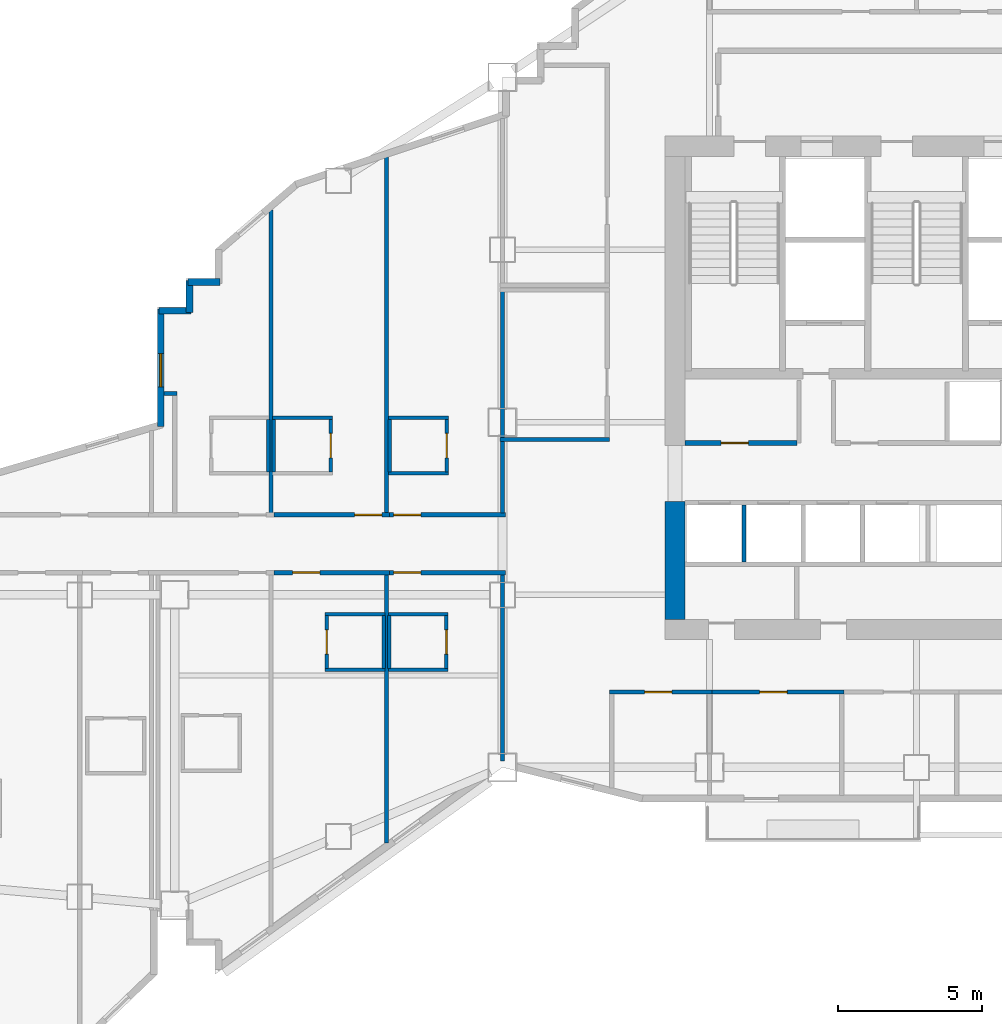
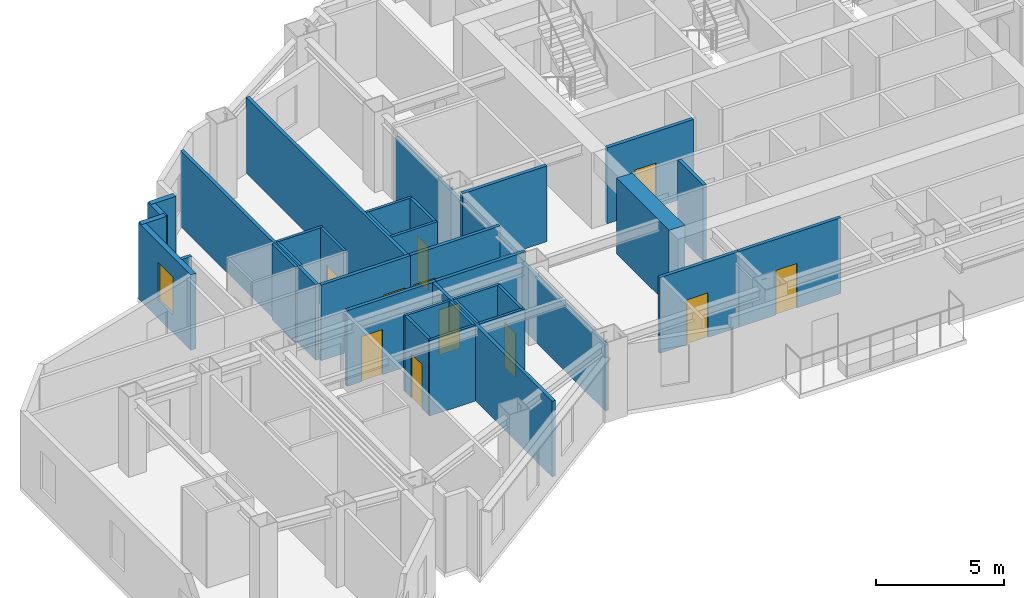
# One storey, part 7 of 16: 37 walls, 11 doors, 1 window, 12 openings.
"""IFC4 building model written with IfcOpenShell, lengths in metres."""

from ifc_helpers import new_model, si_unit, direction, frame, frame_2d, origin, place, context, subcontext, project, spatial, rectangle, extrude, material, layer, layer_set, type_object, element, fill, save


model = new_model("IFC4")

# Units and contexts
model_context = context("Model", 3, precision=1e-05, world=origin(), true_north=direction((0.0, 1.0)))
body_context = subcontext(model_context, "Body", "Model", "MODEL_VIEW")
ifc_project = project(units=[si_unit("LENGTHUNIT", "METRE"), si_unit("AREAUNIT", "SQUARE_METRE"), si_unit("VOLUMEUNIT", "CUBIC_METRE"), si_unit("PLANEANGLEUNIT", "RADIAN"), si_unit("MASSUNIT", "GRAM", prefix="KILO")], contexts=[model_context])

# Site, building, storey
site_placement = place(None, origin())
site = spatial("IfcSite", under=ifc_project, at=site_placement, CompositionType="ELEMENT")
building_placement = place(site_placement, origin())
building = spatial("IfcBuilding", under=site, at=building_placement, Name="Haolan Belvedere Tower", CompositionType="ELEMENT")
storey_placement = place(building_placement, frame((0.0, 0.0, 125.0)))
storey = spatial("IfcBuildingStorey", under=building, at=storey_placement, Name="L31", CompositionType="ELEMENT", Elevation=125.0)

# Walls
ifc_material_1 = material(Name="Concrete C60/75", Category="concrete")
ifc_layer_1 = layer(ifc_material_1, 0.699951171875, Name="Concrete C60/75")
ifc_layer_set_1 = layer_set([ifc_layer_1], Name="Concrete C60/75")
wall_type_1 = type_object("IfcWallType", Name="WL-CORE-700", PredefinedType="SHEAR", material=ifc_layer_set_1)
wall_1_placement = place(storey_placement, frame((30.0, 26.75, 0.0), z_axis=(0.0, 0.0, 1.0), x_axis=(0.0, 1.0, 0.0)))
element("IfcWall", 1, at=wall_1_placement, inside=storey, type_object=wall_type_1, Name="L31 central core shear wall WS", PredefinedType="SHEAR", context=body_context, shape_type="SweptSolid", body=[
    extrude(rectangle(XDim=4.10009765625, YDim=0.699951171875, at=frame_2d((2.050048828125, 0.0))), origin(), (0.0, 0.0, 1.0), 3.60009765625),
])
ifc_material_2 = material(Name="Precast concrete C40/50", Category="concrete")
ifc_layer_2 = layer(ifc_material_2, 0.239990234375, Name="Precast concrete C40/50")
ifc_layer_set_2 = layer_set([ifc_layer_2], Name="Precast concrete C40/50")
wall_type_2 = type_object("IfcWallType", Name="WL-EXT-240", PredefinedType="SOLIDWALL", material=ifc_layer_set_2)
wall_2_placement = place(storey_placement, frame((14.175048828125, 38.47998046875, 0.0), z_axis=(0.0, 0.0, 1.0), x_axis=(-1.0, 0.0, 0.0)))
element("IfcWall", 2, at=wall_2_placement, inside=storey, type_object=wall_type_2, Name="L31 pale-metal exterior spandrel wall 38.1", PredefinedType="SOLIDWALL", context=body_context, shape_type="SweptSolid", body=[
    extrude(rectangle(XDim=1.110107421875, YDim=0.239990234375, at=frame_2d((0.55517578125, 0.0))), origin(), (0.0, 0.0, 1.0), 3.60009765625),
])
wall_3_placement = place(storey_placement, frame((13.1201171875, 38.534912109375, 0.0), z_axis=(0.0, 0.0, 1.0), x_axis=(0.0, -1.0, 0.0)))
element("IfcWall", 3, at=wall_3_placement, inside=storey, type_object=wall_type_2, Name="L31 pale-metal exterior spandrel wall 39.1", PredefinedType="SOLIDWALL", context=body_context, shape_type="SweptSolid", body=[
    extrude(rectangle(XDim=1.10986328125, YDim=0.239990234375, at=frame_2d((0.554931640625, 0.0))), origin(), (0.0, 0.0, 1.0), 3.60009765625),
])
wall_4_placement = place(storey_placement, frame((13.175048828125, 37.47998046875, 0.0), z_axis=(0.0, 0.0, 1.0), x_axis=(-1.0, 0.0, 0.0)))
element("IfcWall", 4, at=wall_4_placement, inside=storey, type_object=wall_type_2, Name="L31 pale-metal exterior spandrel wall 40.1", PredefinedType="SOLIDWALL", context=body_context, shape_type="SweptSolid", body=[
    extrude(rectangle(XDim=1.110107421875, YDim=0.239990234375, at=frame_2d((0.55517578125, 0.0))), origin(), (0.0, 0.0, 1.0), 3.60009765625),
])

# Wall, opening, window
wall_5_placement = place(storey_placement, frame((12.1201171875, 37.534912109375, 0.0), z_axis=(0.0, 0.0, 1.0), x_axis=(0.0, -1.0, 0.0)))
wall_5 = element("IfcWall", 5, at=wall_5_placement, inside=storey, type_object=wall_type_2, Name="L31 pale-metal exterior spandrel wall 41.1", PredefinedType="SOLIDWALL", context=body_context, shape_type="SweptSolid", body=[
    extrude(rectangle(XDim=4.079833984375, YDim=0.239990234375, at=frame_2d((2.0400390625, 0.0))), origin(), (0.0, 0.0, 1.0), 3.60009765625),
])
opening_1_placement = place(wall_5_placement, frame((1.550048828125, 0.0, 0.85009765625)))
opening_1 = element("IfcOpeningElement", 6, at=opening_1_placement, cuts=wall_5, Name="Opening W-02", PredefinedType="OPENING", context=body_context, shape_type="SweptSolid", body=[
    extrude(rectangle(XDim=1.14990234375, YDim=1.800048828125, at=frame_2d((0.574951171875, 0.89990234375))), frame((0.0, 0.1298828125, 0.0), z_axis=(0.0, -1.0, 0.0), x_axis=(1.0, 0.0, 0.0)), (0.0, 0.0, 1.0), 0.260009765625),
])
ifc_material_3 = material(Name="Anodised aluminium 6063-T6 and Low-E glass", Category="aluminium")
window_type = type_object("IfcWindowType", Name="WN-DECO-Z2", PartitioningType="SINGLE_PANEL", PredefinedType="WINDOW", material=ifc_material_3)
window_placement = place(opening_1_placement, origin())
window = element("IfcWindow", 7, at=window_placement, inside=storey, type_object=window_type, Name="L31 Art Deco chevron window 1", OverallHeight=1.800048828125, OverallWidth=1.14990234375, PartitioningType="SINGLE_PANEL", PredefinedType="WINDOW", context=body_context, shape_type="SweptSolid", body=[
    extrude(rectangle(XDim=1.14990234375, YDim=1.800048828125, at=frame_2d((0.574951171875, 0.89990234375))), frame((0.0, 0.030029296875, 0.0), z_axis=(0.0, -1.0, 0.0), x_axis=(1.0, 0.0, 0.0)), (0.0, 0.0, 1.0), 0.06005859375),
])
fill(opening_1, window)

# Walls
ifc_material_4 = material(Name="Double gypsum acoustic stud partition", Category="masonry")
ifc_layer_3 = layer(ifc_material_4, 0.14990234375, Name="Double gypsum acoustic stud partition")
ifc_layer_set_3 = layer_set([ifc_layer_3], Name="Double gypsum acoustic stud partition")
wall_type_3 = type_object("IfcWallType", Name="WL-PART-150", PredefinedType="PARTITIONING", material=ifc_layer_set_3)
wall_6_placement = place(storey_placement, frame((23.919921875, 33.0, 0.0), z_axis=(0.0, 0.0, 1.0), x_axis=(1.0, 0.0, 0.0)))
element("IfcWall", 8, at=wall_6_placement, inside=storey, type_object=wall_type_3, Name="L31 interior partition IW-L31-HSK-S", PredefinedType="PARTITIONING", context=body_context, shape_type="SweptSolid", body=[
    extrude(rectangle(XDim=3.800048828125, YDim=0.14990234375, at=frame_2d((1.89990234375, 0.0))), origin(), (0.0, 0.0, 1.0), 3.60009765625),
])
wall_7_placement = place(storey_placement, frame((24.0, 33.06005859375, 0.0), z_axis=(0.0, 0.0, 1.0), x_axis=(0.0, 1.0, 0.0)))
element("IfcWall", 9, at=wall_7_placement, inside=storey, type_object=wall_type_3, Name="L31 interior partition IW-L31-HSK-W", PredefinedType="PARTITIONING", context=body_context, shape_type="SweptSolid", body=[
    extrude(rectangle(XDim=5.079833984375, YDim=0.14990234375, at=frame_2d((2.5400390625, 0.0))), origin(), (0.0, 0.0, 1.0), 3.14501953125),
])

# Wall, opening, door
wall_8_placement = place(storey_placement, frame((27.719970703125, 24.219970703125, 0.0), z_axis=(0.0, 0.0, 1.0), x_axis=(1.0, 0.0, 0.0)))
wall_8 = element("IfcWall", 10, at=wall_8_placement, inside=storey, type_object=wall_type_3, Name="L31 interior partition IW-L31-KS2-N", PredefinedType="PARTITIONING", context=body_context, shape_type="SweptSolid", body=[
    extrude(rectangle(XDim=3.56005859375, YDim=0.14990234375, at=frame_2d((1.780029296875, 0.0))), origin(), (0.0, 0.0, 1.0), 3.60009765625),
])
opening_2_placement = place(wall_8_placement, frame((2.175048828125, 0.0, 0.0), z_axis=(0.0, 0.0, 1.0), x_axis=(-1.0, 0.0, 0.0)))
opening_2 = element("IfcOpeningElement", 11, at=opening_2_placement, cuts=wall_8, Name="Opening ID-03", PredefinedType="OPENING", context=body_context, shape_type="SweptSolid", body=[
    extrude(rectangle(XDim=0.949951171875, YDim=2.1201171875, at=frame_2d((0.47509765625, 1.06005859375))), frame((0.0, 0.0849609375, 0.0), z_axis=(0.0, -1.0, 0.0), x_axis=(1.0, 0.0, 0.0)), (0.0, 0.0, 1.0), 0.169921875),
])
ifc_material_5 = material(Name="Painted solid-core timber", Category="wood")
door_type_1 = type_object("IfcDoorType", Name="DR-INT-950", OperationType="NOTDEFINED", PredefinedType="DOOR", material=ifc_material_5)
door_1_placement = place(opening_2_placement, origin())
door_1 = element("IfcDoor", 12, at=door_1_placement, inside=storey, type_object=door_type_1, Name="L31 door ID-L31-KS2", OperationType="SINGLE_SWING_RIGHT", OverallHeight=2.1201171875, OverallWidth=0.949951171875, PredefinedType="DOOR", context=body_context, shape_type="SweptSolid", body=[
    extrude(rectangle(XDim=0.949951171875, YDim=2.1201171875, at=frame_2d((0.47509765625, 1.06005859375))), frame((0.0, 0.02490234375, 0.0), z_axis=(0.0, -1.0, 0.0), x_axis=(1.0, 0.0, 0.0)), (0.0, 0.0, 1.0), 0.050048828125),
])
fill(opening_2, door_1)

wall_9_placement = place(storey_placement, frame((31.281982421875, 24.219970703125, 0.0), z_axis=(0.0, 0.0, 1.0), x_axis=(1.0, 0.0, 0.0)))
wall_9 = element("IfcWall", 13, at=wall_9_placement, inside=storey, type_object=wall_type_3, Name="L31 interior partition IW-L31-KS3-N", PredefinedType="PARTITIONING", context=body_context, shape_type="SweptSolid", body=[
    extrude(rectangle(XDim=4.597900390625, YDim=0.14990234375, at=frame_2d((2.298828125, 0.0))), origin(), (0.0, 0.0, 1.0), 3.60009765625),
])
opening_3_placement = place(wall_9_placement, frame((2.613037109375, 0.0, 0.0), z_axis=(0.0, 0.0, 1.0), x_axis=(-1.0, 0.0, 0.0)))
opening_3 = element("IfcOpeningElement", 14, at=opening_3_placement, cuts=wall_9, Name="Opening ID-03", PredefinedType="OPENING", context=body_context, shape_type="SweptSolid", body=[
    extrude(rectangle(XDim=0.949951171875, YDim=2.1201171875, at=frame_2d((0.47509765625, 1.06005859375))), frame((0.0, 0.0849609375, 0.0), z_axis=(0.0, -1.0, 0.0), x_axis=(1.0, 0.0, 0.0)), (0.0, 0.0, 1.0), 0.169921875),
])
door_2_placement = place(opening_3_placement, origin())
door_2 = element("IfcDoor", 15, at=door_2_placement, inside=storey, type_object=door_type_1, Name="L31 door ID-L31-KS3", OperationType="SINGLE_SWING_LEFT", OverallHeight=2.1201171875, OverallWidth=0.949951171875, PredefinedType="DOOR", context=body_context, shape_type="SweptSolid", body=[
    extrude(rectangle(XDim=0.949951171875, YDim=2.1201171875, at=frame_2d((0.47509765625, 1.06005859375))), frame((0.0, 0.02490234375, 0.0), z_axis=(0.0, -1.0, 0.0), x_axis=(1.0, 0.0, 0.0)), (0.0, 0.0, 1.0), 0.050048828125),
])
fill(opening_3, door_2)

# Wall
wall_10_placement = place(storey_placement, frame((15.949951171875, 30.43994140625, 0.0), z_axis=(0.0, 0.0, 1.0), x_axis=(0.0, 1.0, 0.0)))
element("IfcWall", 16, at=wall_10_placement, inside=storey, type_object=wall_type_3, Name="L31 interior partition IW-L31-T2N1-E", PredefinedType="PARTITIONING", context=body_context, shape_type="SweptSolid", body=[
    extrude(rectangle(XDim=10.53515625, YDim=0.14990234375, at=frame_2d((5.267578125, 0.0))), origin(), (0.0, 0.0, 1.0), 3.60009765625),
])

# Wall, opening, door
wall_11_placement = place(storey_placement, frame((16.052001953125, 30.3798828125, 0.0), z_axis=(0.0, 0.0, 1.0), x_axis=(1.0, 0.0, 0.0)))
wall_11 = element("IfcWall", 17, at=wall_11_placement, inside=storey, type_object=wall_type_3, Name="L31 interior partition IW-L31-T2N2-S", PredefinedType="PARTITIONING", context=body_context, shape_type="SweptSolid", body=[
    extrude(rectangle(XDim=4.01806640625, YDim=0.14990234375, at=frame_2d((2.009033203125, 0.0))), origin(), (0.0, 0.0, 1.0), 3.60009765625),
])
opening_4_placement = place(wall_11_placement, frame((2.809814453125, 0.0, 0.0)))
opening_4 = element("IfcOpeningElement", 18, at=opening_4_placement, cuts=wall_11, Name="Opening ID-02", PredefinedType="OPENING", context=body_context, shape_type="SweptSolid", body=[
    extrude(rectangle(XDim=0.949951171875, YDim=2.14990234375, at=frame_2d((0.47509765625, 1.074951171875))), frame((0.0, 0.0849609375, 0.0), z_axis=(0.0, -1.0, 0.0), x_axis=(1.0, 0.0, 0.0)), (0.0, 0.0, 1.0), 0.169921875),
])
ifc_material_6 = material(Name="Acoustic oak veneer fire-rated timber", Category="wood")
door_type_2 = type_object("IfcDoorType", Name="DR-GUEST-950", OperationType="NOTDEFINED", PredefinedType="DOOR", material=ifc_material_6)
door_3_placement = place(opening_4_placement, origin())
door_3 = element("IfcDoor", 19, at=door_3_placement, inside=storey, type_object=door_type_2, Name="L31 door ID-L31-T2N2-ENT", OperationType="SINGLE_SWING_LEFT", OverallHeight=2.14990234375, OverallWidth=0.949951171875, PredefinedType="DOOR", context=body_context, shape_type="SweptSolid", body=[
    extrude(rectangle(XDim=0.949951171875, YDim=2.14990234375, at=frame_2d((0.47509765625, 1.074951171875))), frame((0.0, 0.02490234375, 0.0), z_axis=(0.0, -1.0, 0.0), x_axis=(1.0, 0.0, 0.0)), (0.0, 0.0, 1.0), 0.050048828125),
])
fill(opening_4, door_3)

# Wall
wall_12_placement = place(storey_placement, frame((19.969970703125, 30.43994140625, 0.0), z_axis=(0.0, 0.0, 1.0), x_axis=(0.0, 1.0, 0.0)))
element("IfcWall", 20, at=wall_12_placement, inside=storey, type_object=wall_type_3, Name="L31 interior partition IW-L31-T2N2-E", PredefinedType="PARTITIONING", context=body_context, shape_type="SweptSolid", body=[
    extrude(rectangle(XDim=12.379638671875, YDim=0.14990234375, at=frame_2d((6.18994140625, 0.0))), origin(), (0.0, 0.0, 1.0), 3.60009765625),
])

# Wall, opening, door
wall_13_placement = place(storey_placement, frame((20.072021484375, 30.3798828125, 0.0), z_axis=(0.0, 0.0, 1.0), x_axis=(1.0, 0.0, 0.0)))
wall_13 = element("IfcWall", 21, at=wall_13_placement, inside=storey, type_object=wall_type_3, Name="L31 interior partition IW-L31-T2N3-S", PredefinedType="PARTITIONING", context=body_context, shape_type="SweptSolid", body=[
    extrude(rectangle(XDim=4.028076171875, YDim=0.14990234375, at=frame_2d((2.01416015625, 0.0))), origin(), (0.0, 0.0, 1.0), 3.60009765625),
])
opening_5_placement = place(wall_13_placement, frame((0.139892578125, 0.0, 0.0)))
opening_5 = element("IfcOpeningElement", 22, at=opening_5_placement, cuts=wall_13, Name="Opening ID-02", PredefinedType="OPENING", context=body_context, shape_type="SweptSolid", body=[
    extrude(rectangle(XDim=0.949951171875, YDim=2.14990234375, at=frame_2d((0.47509765625, 1.074951171875))), frame((0.0, 0.0849609375, 0.0), z_axis=(0.0, -1.0, 0.0), x_axis=(1.0, 0.0, 0.0)), (0.0, 0.0, 1.0), 0.169921875),
])
door_4_placement = place(opening_5_placement, origin())
door_4 = element("IfcDoor", 23, at=door_4_placement, inside=storey, type_object=door_type_2, Name="L31 door ID-L31-T2N3-ENT", OperationType="SINGLE_SWING_RIGHT", OverallHeight=2.14990234375, OverallWidth=0.949951171875, PredefinedType="DOOR", context=body_context, shape_type="SweptSolid", body=[
    extrude(rectangle(XDim=0.949951171875, YDim=2.14990234375, at=frame_2d((0.47509765625, 1.074951171875))), frame((0.0, 0.02490234375, 0.0), z_axis=(0.0, -1.0, 0.0), x_axis=(1.0, 0.0, 0.0)), (0.0, 0.0, 1.0), 0.050048828125),
])
fill(opening_5, door_4)

# Wall
wall_14_placement = place(storey_placement, frame((24.0, 30.43994140625, 0.0), z_axis=(0.0, 0.0, 1.0), x_axis=(0.0, 1.0, 0.0)))
element("IfcWall", 24, at=wall_14_placement, inside=storey, type_object=wall_type_3, Name="L31 interior partition IW-L31-T2N3-E", PredefinedType="PARTITIONING", context=body_context, shape_type="SweptSolid", body=[
    extrude(rectangle(XDim=2.5, YDim=0.14990234375, at=frame_2d((1.25, 0.0))), origin(), (0.0, 0.0, 1.0), 3.14501953125),
])

# Wall, opening, door
wall_15_placement = place(storey_placement, frame((16.052001953125, 28.3701171875, 0.0), z_axis=(0.0, 0.0, 1.0), x_axis=(1.0, 0.0, 0.0)))
wall_15 = element("IfcWall", 25, at=wall_15_placement, inside=storey, type_object=wall_type_3, Name="L31 interior partition IW-L31-T2S2-N", PredefinedType="PARTITIONING", context=body_context, shape_type="SweptSolid", body=[
    extrude(rectangle(XDim=4.01806640625, YDim=0.14990234375, at=frame_2d((2.009033203125, 0.0))), origin(), (0.0, 0.0, 1.0), 3.60009765625),
])
opening_6_placement = place(wall_15_placement, frame((1.599365234375, 0.0, 0.0), z_axis=(0.0, 0.0, 1.0), x_axis=(-1.0, 0.0, 0.0)))
opening_6 = element("IfcOpeningElement", 26, at=opening_6_placement, cuts=wall_15, Name="Opening ID-02", PredefinedType="OPENING", context=body_context, shape_type="SweptSolid", body=[
    extrude(rectangle(XDim=0.949951171875, YDim=2.14990234375, at=frame_2d((0.47509765625, 1.074951171875))), frame((0.0, 0.0849609375, 0.0), z_axis=(0.0, -1.0, 0.0), x_axis=(1.0, 0.0, 0.0)), (0.0, 0.0, 1.0), 0.169921875),
])
door_5_placement = place(opening_6_placement, origin())
door_5 = element("IfcDoor", 27, at=door_5_placement, inside=storey, type_object=door_type_2, Name="L31 door ID-L31-T2S2-ENT", OperationType="SINGLE_SWING_RIGHT", OverallHeight=2.14990234375, OverallWidth=0.949951171875, PredefinedType="DOOR", context=body_context, shape_type="SweptSolid", body=[
    extrude(rectangle(XDim=0.949951171875, YDim=2.14990234375, at=frame_2d((0.47509765625, 1.074951171875))), frame((0.0, 0.02490234375, 0.0), z_axis=(0.0, -1.0, 0.0), x_axis=(1.0, 0.0, 0.0)), (0.0, 0.0, 1.0), 0.050048828125),
])
fill(opening_6, door_5)

# Wall
wall_16_placement = place(storey_placement, frame((19.969970703125, 18.9755859375, 0.0), z_axis=(0.0, 0.0, 1.0), x_axis=(0.0, 1.0, 0.0)))
element("IfcWall", 28, at=wall_16_placement, inside=storey, type_object=wall_type_3, Name="L31 interior partition IW-L31-T2S2-E", PredefinedType="PARTITIONING", context=body_context, shape_type="SweptSolid", body=[
    extrude(rectangle(XDim=9.33447265625, YDim=0.14990234375, at=frame_2d((4.667236328125, 0.0))), origin(), (0.0, 0.0, 1.0), 3.60009765625),
])

# Wall, opening, door
wall_17_placement = place(storey_placement, frame((20.072021484375, 28.3701171875, 0.0), z_axis=(0.0, 0.0, 1.0), x_axis=(1.0, 0.0, 0.0)))
wall_17 = element("IfcWall", 29, at=wall_17_placement, inside=storey, type_object=wall_type_3, Name="L31 interior partition IW-L31-T2S3-N", PredefinedType="PARTITIONING", context=body_context, shape_type="SweptSolid", body=[
    extrude(rectangle(XDim=4.028076171875, YDim=0.14990234375, at=frame_2d((2.01416015625, 0.0))), origin(), (0.0, 0.0, 1.0), 3.60009765625),
])
opening_7_placement = place(wall_17_placement, frame((1.08984375, 0.0, 0.0), z_axis=(0.0, 0.0, 1.0), x_axis=(-1.0, 0.0, 0.0)))
opening_7 = element("IfcOpeningElement", 30, at=opening_7_placement, cuts=wall_17, Name="Opening ID-02", PredefinedType="OPENING", context=body_context, shape_type="SweptSolid", body=[
    extrude(rectangle(XDim=0.949951171875, YDim=2.14990234375, at=frame_2d((0.47509765625, 1.074951171875))), frame((0.0, 0.0849609375, 0.0), z_axis=(0.0, -1.0, 0.0), x_axis=(1.0, 0.0, 0.0)), (0.0, 0.0, 1.0), 0.169921875),
])
door_6_placement = place(opening_7_placement, origin())
door_6 = element("IfcDoor", 31, at=door_6_placement, inside=storey, type_object=door_type_2, Name="L31 door ID-L31-T2S3-ENT", OperationType="SINGLE_SWING_LEFT", OverallHeight=2.14990234375, OverallWidth=0.949951171875, PredefinedType="DOOR", context=body_context, shape_type="SweptSolid", body=[
    extrude(rectangle(XDim=0.949951171875, YDim=2.14990234375, at=frame_2d((0.47509765625, 1.074951171875))), frame((0.0, 0.02490234375, 0.0), z_axis=(0.0, -1.0, 0.0), x_axis=(1.0, 0.0, 0.0)), (0.0, 0.0, 1.0), 0.050048828125),
])
fill(opening_7, door_6)

# Walls
wall_18_placement = place(storey_placement, frame((24.0, 21.818603515625, 0.0), z_axis=(0.0, 0.0, 1.0), x_axis=(0.0, 1.0, 0.0)))
element("IfcWall", 32, at=wall_18_placement, inside=storey, type_object=wall_type_3, Name="L31 interior partition IW-L31-T2S3-E", PredefinedType="PARTITIONING", context=body_context, shape_type="SweptSolid", body=[
    extrude(rectangle(XDim=6.491455078125, YDim=0.14990234375, at=frame_2d((3.24560546875, 0.0))), origin(), (0.0, 0.0, 1.0), 3.14501953125),
])
wall_19_placement = place(storey_placement, frame((12.22509765625, 34.60009765625, 0.0), z_axis=(0.0, 0.0, 1.0), x_axis=(1.0, 0.0, 0.0)))
element("IfcWall", 33, at=wall_19_placement, inside=storey, type_object=wall_type_3, Name="L31 interior partition IW-L31-T1N1-N", PredefinedType="PARTITIONING", context=body_context, shape_type="SweptSolid", body=[
    extrude(rectangle(XDim=0.454833984375, YDim=0.14990234375, at=frame_2d((0.2275390625, 0.0))), origin(), (0.0, 0.0, 1.0), 3.60009765625),
])

# Wall, opening, door
ifc_material_7 = material(Name="Gypsum fire shaftwall assembly", Category="masonry")
ifc_layer_4 = layer(ifc_material_7, 0.1650390625, Name="Gypsum fire shaftwall assembly")
ifc_layer_set_4 = layer_set([ifc_layer_4], Name="Gypsum fire shaftwall assembly")
wall_type_4 = type_object("IfcWallType", Name="WL-SHAFT-160", PredefinedType="SOLIDWALL", material=ifc_layer_set_4)
wall_20_placement = place(storey_placement, frame((30.35009765625, 32.8798828125, 0.0), z_axis=(0.0, 0.0, 1.0), x_axis=(1.0, 0.0, 0.0)))
wall_20 = element("IfcWall", 34, at=wall_20_placement, inside=storey, type_object=wall_type_4, Name="L31 interior partition IW-L31-ROW-PN1", PredefinedType="SOLIDWALL", context=body_context, shape_type="SweptSolid", body=[
    extrude(rectangle(XDim=3.89990234375, YDim=0.159912109375, at=frame_2d((1.949951171875, 0.0))), origin(), (0.0, 0.0, 1.0), 3.60009765625),
])
opening_8_placement = place(wall_20_placement, frame((2.199951171875, 0.0, 0.0), z_axis=(0.0, 0.0, 1.0), x_axis=(-1.0, 0.0, 0.0)))
opening_8 = element("IfcOpeningElement", 35, at=opening_8_placement, cuts=wall_20, Name="Opening ID-03", PredefinedType="OPENING", context=body_context, shape_type="SweptSolid", body=[
    extrude(rectangle(XDim=0.949951171875, YDim=2.1201171875, at=frame_2d((0.47509765625, 1.06005859375))), frame((0.0, 0.08984375, 0.0), z_axis=(0.0, -1.0, 0.0), x_axis=(1.0, 0.0, 0.0)), (0.0, 0.0, 1.0), 0.179931640625),
])
door_7_placement = place(opening_8_placement, origin())
door_7 = element("IfcDoor", 36, at=door_7_placement, inside=storey, type_object=door_type_1, Name="L31 door ID-L31-CD-RPLW", OperationType="SINGLE_SWING_LEFT", OverallHeight=2.1201171875, OverallWidth=0.949951171875, PredefinedType="DOOR", context=body_context, shape_type="SweptSolid", body=[
    extrude(rectangle(XDim=0.949951171875, YDim=2.1201171875, at=frame_2d((0.47509765625, 1.06005859375))), frame((0.0, 0.02490234375, 0.0), z_axis=(0.0, -1.0, 0.0), x_axis=(1.0, 0.0, 0.0)), (0.0, 0.0, 1.0), 0.050048828125),
])
fill(opening_8, door_7)

# Walls
wall_21_placement = place(storey_placement, frame((32.39990234375, 28.735107421875, 0.0), z_axis=(0.0, 0.0, 1.0), x_axis=(0.0, 1.0, 0.0)))
element("IfcWall", 37, at=wall_21_placement, inside=storey, type_object=wall_type_4, Name="L31 interior partition IW-L31-DIV-PM1", PredefinedType="SOLIDWALL", context=body_context, shape_type="SweptSolid", body=[
    extrude(rectangle(XDim=1.98486328125, YDim=0.14990234375, at=frame_2d((0.992431640625, 0.0))), origin(), (0.0, 0.0, 1.0), 3.60009765625),
])
ifc_material_8 = material(Name="Moisture-resistant gypsum tile partition", Category="masonry")
ifc_layer_5 = layer(ifc_material_8, 0.1201171875, Name="Moisture-resistant gypsum tile partition")
ifc_layer_set_5 = layer_set([ifc_layer_5], Name="Moisture-resistant gypsum tile partition")
wall_type_5 = type_object("IfcWallType", Name="WL-WET-120", PredefinedType="PARTITIONING", material=ifc_layer_set_5)
wall_22_placement = place(storey_placement, frame((15.85009765625, 31.875, 0.0), z_axis=(0.0, 0.0, 1.0), x_axis=(0.0, 1.0, 0.0)))
element("IfcWall", 38, at=wall_22_placement, inside=storey, type_object=wall_type_5, Name="L31 interior partition IW-L31-T2N1-BE", PredefinedType="PARTITIONING", context=body_context, shape_type="SweptSolid", body=[
    extrude(rectangle(XDim=1.830078125, YDim=0.1201171875, at=frame_2d((0.9150390625, 0.0))), origin(), (0.0, 0.0, 1.0), 3.60009765625),
])
wall_23_placement = place(storey_placement, frame((16.010009765625, 33.75, 0.0), z_axis=(0.0, 0.0, 1.0), x_axis=(1.0, 0.0, 0.0)))
element("IfcWall", 39, at=wall_23_placement, inside=storey, type_object=wall_type_5, Name="L31 interior partition IW-L31-T2N2-BN", PredefinedType="PARTITIONING", context=body_context, shape_type="SweptSolid", body=[
    extrude(rectangle(XDim=2.080078125, YDim=0.1201171875, at=frame_2d((1.0400390625, 0.0))), origin(), (0.0, 0.0, 1.0), 3.60009765625),
])
wall_24_placement = place(storey_placement, frame((16.050048828125, 31.875, 0.0), z_axis=(0.0, 0.0, 1.0), x_axis=(0.0, 1.0, 0.0)))
element("IfcWall", 40, at=wall_24_placement, inside=storey, type_object=wall_type_5, Name="L31 interior partition IW-L31-T2N2-BW", PredefinedType="PARTITIONING", context=body_context, shape_type="SweptSolid", body=[
    extrude(rectangle(XDim=1.830078125, YDim=0.1201171875, at=frame_2d((0.9150390625, 0.0))), origin(), (0.0, 0.0, 1.0), 3.60009765625),
])

# Wall, opening, door
wall_25_placement = place(storey_placement, frame((18.030029296875, 31.875, 0.0), z_axis=(0.0, 0.0, 1.0), x_axis=(0.0, 1.0, 0.0)))
wall_25 = element("IfcWall", 41, at=wall_25_placement, inside=storey, type_object=wall_type_5, Name="L31 interior partition IW-L31-T2N2-BE", PredefinedType="PARTITIONING", context=body_context, shape_type="SweptSolid", body=[
    extrude(rectangle(XDim=1.830078125, YDim=0.1201171875, at=frame_2d((0.9150390625, 0.0))), origin(), (0.0, 0.0, 1.0), 3.60009765625),
])
opening_9_placement = place(wall_25_placement, frame((0.489990234375, 0.0, 0.0)))
opening_9 = element("IfcOpeningElement", 42, at=opening_9_placement, cuts=wall_25, Name="Opening ID-05", PredefinedType="OPENING", context=body_context, shape_type="SweptSolid", body=[
    extrude(rectangle(XDim=0.85009765625, YDim=2.10009765625, at=frame_2d((0.425048828125, 1.050048828125))), frame((0.0, 0.070068359375, 0.0), z_axis=(0.0, -1.0, 0.0), x_axis=(1.0, 0.0, 0.0)), (0.0, 0.0, 1.0), 0.14013671875),
])
ifc_material_9 = material(Name="Moisture-resistant lacquered timber", Category="wood")
door_type_3 = type_object("IfcDoorType", Name="DR-BATH-850", OperationType="NOTDEFINED", PredefinedType="DOOR", material=ifc_material_9)
door_8_placement = place(opening_9_placement, origin())
door_8 = element("IfcDoor", 43, at=door_8_placement, inside=storey, type_object=door_type_3, Name="L31 door ID-L31-T2N2-BATH", OperationType="SINGLE_SWING_RIGHT", OverallHeight=2.10009765625, OverallWidth=0.85009765625, PredefinedType="DOOR", context=body_context, shape_type="SweptSolid", body=[
    extrude(rectangle(XDim=0.85009765625, YDim=2.10009765625, at=frame_2d((0.425048828125, 1.050048828125))), frame((0.0, 0.02490234375, 0.0), z_axis=(0.0, -1.0, 0.0), x_axis=(1.0, 0.0, 0.0)), (0.0, 0.0, 1.0), 0.050048828125),
])
fill(opening_9, door_8)

# Walls
for number, where, z_axis, x_axis, name in (
    (44, (20.030029296875, 33.75, 0.0), (0.0, 0.0, 1.0), (1.0, 0.0, 0.0), "L31 interior partition IW-L31-T2N3-BN"),
    (45, (20.030029296875, 31.830078125, 0.0), (0.0, 0.0, 1.0), (1.0, 0.0, 0.0), "L31 interior partition IW-L31-T2N3-BS"),
):
    element("IfcWall", number, at=place(storey_placement, frame(where, z_axis=z_axis, x_axis=x_axis)), inside=storey, type_object=wall_type_5, Name=name, PredefinedType="PARTITIONING", context=body_context, shape_type="SweptSolid", body=[
        extrude(rectangle(XDim=2.09423828125, YDim=0.1201171875, at=frame_2d((1.047119140625, 0.0))), origin(), (0.0, 0.0, 1.0), 3.60009765625),
    ])
wall_26_placement = place(storey_placement, frame((20.084228515625, 31.875, 0.0), z_axis=(0.0, 0.0, 1.0), x_axis=(0.0, 1.0, 0.0)))
element("IfcWall", 46, at=wall_26_placement, inside=storey, type_object=wall_type_5, Name="L31 interior partition IW-L31-T2N3-BW", PredefinedType="PARTITIONING", context=body_context, shape_type="SweptSolid", body=[
    extrude(rectangle(XDim=1.830078125, YDim=0.1201171875, at=frame_2d((0.9150390625, 0.0))), origin(), (0.0, 0.0, 1.0), 3.60009765625),
])

# Wall, opening, door
wall_27_placement = place(storey_placement, frame((22.064208984375, 31.875, 0.0), z_axis=(0.0, 0.0, 1.0), x_axis=(0.0, 1.0, 0.0)))
wall_27 = element("IfcWall", 47, at=wall_27_placement, inside=storey, type_object=wall_type_5, Name="L31 interior partition IW-L31-T2N3-BE", PredefinedType="PARTITIONING", context=body_context, shape_type="SweptSolid", body=[
    extrude(rectangle(XDim=1.830078125, YDim=0.1201171875, at=frame_2d((0.9150390625, 0.0))), origin(), (0.0, 0.0, 1.0), 3.60009765625),
])
opening_10_placement = place(wall_27_placement, frame((0.489990234375, 0.0, 0.0)))
opening_10 = element("IfcOpeningElement", 48, at=opening_10_placement, cuts=wall_27, Name="Opening ID-05", PredefinedType="OPENING", context=body_context, shape_type="SweptSolid", body=[
    extrude(rectangle(XDim=0.85009765625, YDim=2.10009765625, at=frame_2d((0.425048828125, 1.050048828125))), frame((0.0, 0.070068359375, 0.0), z_axis=(0.0, -1.0, 0.0), x_axis=(1.0, 0.0, 0.0)), (0.0, 0.0, 1.0), 0.14013671875),
])
door_9_placement = place(opening_10_placement, origin())
door_9 = element("IfcDoor", 49, at=door_9_placement, inside=storey, type_object=door_type_3, Name="L31 door ID-L31-T2N3-BATH", OperationType="SINGLE_SWING_LEFT", OverallHeight=2.10009765625, OverallWidth=0.85009765625, PredefinedType="DOOR", context=body_context, shape_type="SweptSolid", body=[
    extrude(rectangle(XDim=0.85009765625, YDim=2.10009765625, at=frame_2d((0.425048828125, 1.050048828125))), frame((0.0, 0.02490234375, 0.0), z_axis=(0.0, -1.0, 0.0), x_axis=(1.0, 0.0, 0.0)), (0.0, 0.0, 1.0), 0.050048828125),
])
fill(opening_10, door_9)

# Walls
for number, where, z_axis, x_axis, name in (
    (50, (17.830078125, 26.919921875, 0.0), (0.0, 0.0, 1.0), (1.0, 0.0, 0.0), "L31 interior partition IW-L31-T2S2-BN"),
    (51, (17.830078125, 25.0, 0.0), (0.0, 0.0, 1.0), (1.0, 0.0, 0.0), "L31 interior partition IW-L31-T2S2-BS"),
):
    element("IfcWall", number, at=place(storey_placement, frame(where, z_axis=z_axis, x_axis=x_axis)), inside=storey, type_object=wall_type_5, Name=name, PredefinedType="PARTITIONING", context=body_context, shape_type="SweptSolid", body=[
        extrude(rectangle(XDim=2.079833984375, YDim=0.1201171875, at=frame_2d((1.0400390625, 0.0))), origin(), (0.0, 0.0, 1.0), 3.60009765625),
    ])

# Wall, opening, door
wall_28_placement = place(storey_placement, frame((17.889892578125, 25.044921875, 0.0), z_axis=(0.0, 0.0, 1.0), x_axis=(0.0, 1.0, 0.0)))
wall_28 = element("IfcWall", 52, at=wall_28_placement, inside=storey, type_object=wall_type_5, Name="L31 interior partition IW-L31-T2S2-BW", PredefinedType="PARTITIONING", context=body_context, shape_type="SweptSolid", body=[
    extrude(rectangle(XDim=1.830078125, YDim=0.1201171875, at=frame_2d((0.9150390625, 0.0))), origin(), (0.0, 0.0, 1.0), 3.60009765625),
])
opening_11_placement = place(wall_28_placement, frame((1.340087890625, 0.0, 0.0), z_axis=(0.0, 0.0, 1.0), x_axis=(-1.0, 0.0, 0.0)))
opening_11 = element("IfcOpeningElement", 53, at=opening_11_placement, cuts=wall_28, Name="Opening ID-05", PredefinedType="OPENING", context=body_context, shape_type="SweptSolid", body=[
    extrude(rectangle(XDim=0.85009765625, YDim=2.10009765625, at=frame_2d((0.425048828125, 1.050048828125))), frame((0.0, 0.070068359375, 0.0), z_axis=(0.0, -1.0, 0.0), x_axis=(1.0, 0.0, 0.0)), (0.0, 0.0, 1.0), 0.14013671875),
])
door_10_placement = place(opening_11_placement, origin())
door_10 = element("IfcDoor", 54, at=door_10_placement, inside=storey, type_object=door_type_3, Name="L31 door ID-L31-T2S2-BATH", OperationType="SINGLE_SWING_LEFT", OverallHeight=2.10009765625, OverallWidth=0.85009765625, PredefinedType="DOOR", context=body_context, shape_type="SweptSolid", body=[
    extrude(rectangle(XDim=0.85009765625, YDim=2.10009765625, at=frame_2d((0.425048828125, 1.050048828125))), frame((0.0, 0.02490234375, 0.0), z_axis=(0.0, -1.0, 0.0), x_axis=(1.0, 0.0, 0.0)), (0.0, 0.0, 1.0), 0.050048828125),
])
fill(opening_11, door_10)

# Walls
wall_29_placement = place(storey_placement, frame((19.8701171875, 25.044921875, 0.0), z_axis=(0.0, 0.0, 1.0), x_axis=(0.0, 1.0, 0.0)))
element("IfcWall", 55, at=wall_29_placement, inside=storey, type_object=wall_type_5, Name="L31 interior partition IW-L31-T2S2-BE", PredefinedType="PARTITIONING", context=body_context, shape_type="SweptSolid", body=[
    extrude(rectangle(XDim=1.830078125, YDim=0.1201171875, at=frame_2d((0.9150390625, 0.0))), origin(), (0.0, 0.0, 1.0), 3.60009765625),
])
for number, where, z_axis, x_axis, name in (
    (56, (20.030029296875, 26.919921875, 0.0), (0.0, 0.0, 1.0), (1.0, 0.0, 0.0), "L31 interior partition IW-L31-T2S3-BN"),
    (57, (20.030029296875, 25.0, 0.0), (0.0, 0.0, 1.0), (1.0, 0.0, 0.0), "L31 interior partition IW-L31-T2S3-BS"),
):
    element("IfcWall", number, at=place(storey_placement, frame(where, z_axis=z_axis, x_axis=x_axis)), inside=storey, type_object=wall_type_5, Name=name, PredefinedType="PARTITIONING", context=body_context, shape_type="SweptSolid", body=[
        extrude(rectangle(XDim=2.080078125, YDim=0.1201171875, at=frame_2d((1.0400390625, 0.0))), origin(), (0.0, 0.0, 1.0), 3.60009765625),
    ])
wall_30_placement = place(storey_placement, frame((20.070068359375, 25.044921875, 0.0), z_axis=(0.0, 0.0, 1.0), x_axis=(0.0, 1.0, 0.0)))
element("IfcWall", 58, at=wall_30_placement, inside=storey, type_object=wall_type_5, Name="L31 interior partition IW-L31-T2S3-BW", PredefinedType="PARTITIONING", context=body_context, shape_type="SweptSolid", body=[
    extrude(rectangle(XDim=1.830078125, YDim=0.1201171875, at=frame_2d((0.9150390625, 0.0))), origin(), (0.0, 0.0, 1.0), 3.60009765625),
])

# Wall, opening, door
wall_31_placement = place(storey_placement, frame((22.050048828125, 25.044921875, 0.0), z_axis=(0.0, 0.0, 1.0), x_axis=(0.0, 1.0, 0.0)))
wall_31 = element("IfcWall", 59, at=wall_31_placement, inside=storey, type_object=wall_type_5, Name="L31 interior partition IW-L31-T2S3-BE", PredefinedType="PARTITIONING", context=body_context, shape_type="SweptSolid", body=[
    extrude(rectangle(XDim=1.830078125, YDim=0.1201171875, at=frame_2d((0.9150390625, 0.0))), origin(), (0.0, 0.0, 1.0), 3.60009765625),
])
opening_12_placement = place(wall_31_placement, frame((0.489990234375, 0.0, 0.0)))
opening_12 = element("IfcOpeningElement", 60, at=opening_12_placement, cuts=wall_31, Name="Opening ID-05", PredefinedType="OPENING", context=body_context, shape_type="SweptSolid", body=[
    extrude(rectangle(XDim=0.85009765625, YDim=2.10009765625, at=frame_2d((0.425048828125, 1.050048828125))), frame((0.0, 0.070068359375, 0.0), z_axis=(0.0, -1.0, 0.0), x_axis=(1.0, 0.0, 0.0)), (0.0, 0.0, 1.0), 0.14013671875),
])
door_11_placement = place(opening_12_placement, origin())
door_11 = element("IfcDoor", 61, at=door_11_placement, inside=storey, type_object=door_type_3, Name="L31 door ID-L31-T2S3-BATH", OperationType="SINGLE_SWING_RIGHT", OverallHeight=2.10009765625, OverallWidth=0.85009765625, PredefinedType="DOOR", context=body_context, shape_type="SweptSolid", body=[
    extrude(rectangle(XDim=0.85009765625, YDim=2.10009765625, at=frame_2d((0.425048828125, 1.050048828125))), frame((0.0, 0.02490234375, 0.0), z_axis=(0.0, -1.0, 0.0), x_axis=(1.0, 0.0, 0.0)), (0.0, 0.0, 1.0), 0.050048828125),
])
fill(opening_12, door_11)

save(model, "model.ifc")
